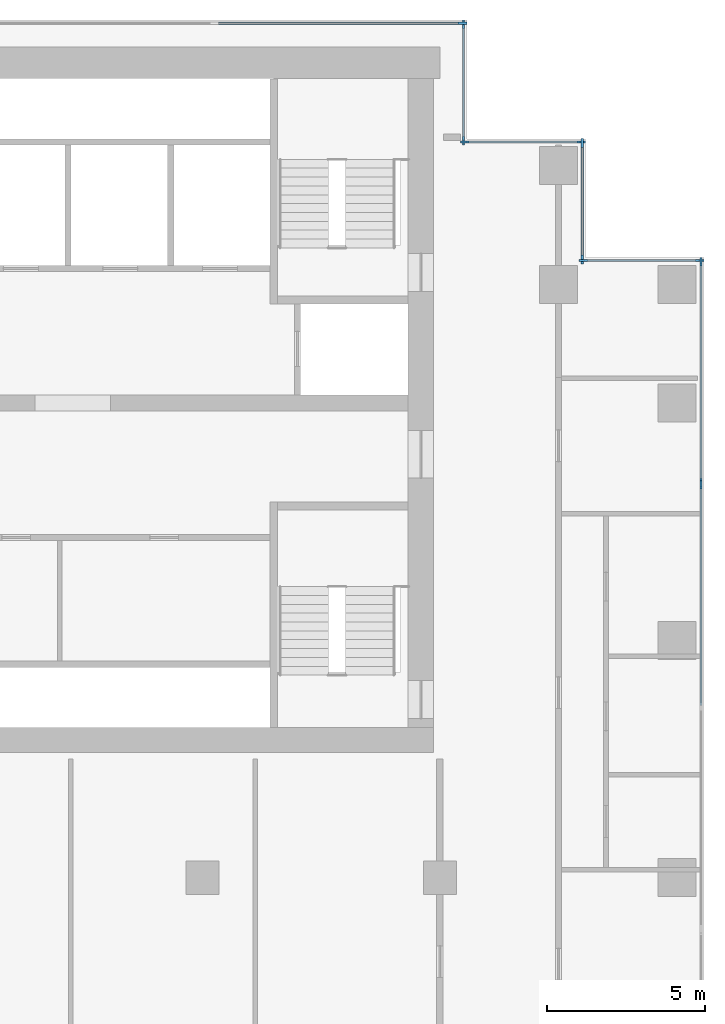
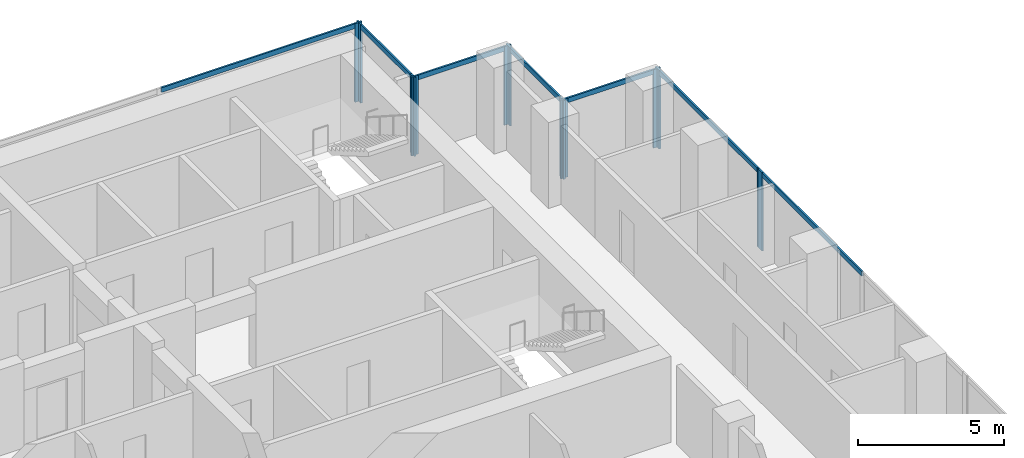
# One storey, part 5 of 11: 19 members, 7 elements without a shape of their own.
"""IFC4 building model written with IfcOpenShell, lengths in metres."""

import ifcopenshell
import ifcopenshell.guid

model = None  # the IFC model being written
_history = None  # IfcOwnerHistory: only IFC2X3 demands one
_inside = {}  # id of a spatial element -> (the spatial element, [elements in it])
_under = {}  # id of a project, library or spatial element -> (it, [spatial elements below it])
_declared = {}  # id of a project -> (the project, [libraries it declares])
_typed = {}  # id of a type object -> (the type object, [elements of that type])
_made_of = {}  # id of a material, layer set ... -> (it, [elements and type objects made of it])


def new_model(schema):
    """Start an empty IFC model of exactly this schema.

    Asked for "IFC4X3", IfcOpenShell would pick the latest addendum, in which some entities
    have other attributes; the version numbers below select the first issue.
    IFC2X3 requires an IfcOwnerHistory on every rooted entity: one is made here for all.
    """
    global model, _history
    if schema == "IFC4X3":
        model = ifcopenshell.file(schema_version=(4, 3, 0, 0))
    else:
        model = ifcopenshell.file(schema=schema)
    _inside.clear()
    _under.clear()
    _declared.clear()
    _typed.clear()
    _made_of.clear()
    _history = None
    if model.schema == "IFC2X3":
        org = make("IfcOrganization", Name="unknown")
        user = make(
            "IfcPersonAndOrganization",
            ThePerson=make("IfcPerson", FamilyName="unknown"),
            TheOrganization=org,
        )
        app = make(
            "IfcApplication",
            ApplicationDeveloper=org,
            Version="unknown",
            ApplicationFullName="unknown",
            ApplicationIdentifier="unknown",
        )
        _history = make(
            "IfcOwnerHistory",
            OwningUser=user,
            OwningApplication=app,
            ChangeAction="ADDED",
            CreationDate=0,
        )
    return model


def make(cls, **values):
    """One entity of the class cls with the attributes given. An attribute that is None is left unset."""
    return model.create_entity(
        cls, **{name: value for name, value in values.items() if value is not None}
    )


def rooted(cls, **values):
    """An entity with a GlobalId (a new one), such as an element, a storey or a relation."""
    return make(cls, GlobalId=ifcopenshell.guid.new(), OwnerHistory=_history, **values)


def si_unit(unit_type, name, prefix=None):
    """IfcSIUnit, for example si_unit("LENGTHUNIT", "METRE", prefix="MILLI")."""
    return make("IfcSIUnit", UnitType=unit_type, Prefix=prefix, Name=name)


def assignment(units):
    """IfcUnitAssignment: the units of a project."""
    return None if units is None else make("IfcUnitAssignment", Units=units)


def point(xyz):
    """IfcCartesianPoint."""
    return None if xyz is None else make("IfcCartesianPoint", Coordinates=xyz)


def direction(xyz):
    """IfcDirection."""
    return None if xyz is None else make("IfcDirection", DirectionRatios=xyz)


def frame(location, z_axis=None, x_axis=None):
    """IfcAxis2Placement3D, a coordinate frame: its origin and axes. An axis left out is left unset."""
    return make(
        "IfcAxis2Placement3D",
        Location=point(location),
        Axis=direction(z_axis),
        RefDirection=direction(x_axis),
    )


def frame_2d(location, x_axis=None):
    """IfcAxis2Placement2D, a coordinate frame in the plane: its origin and x axis."""
    return make(
        "IfcAxis2Placement2D", Location=point(location), RefDirection=direction(x_axis)
    )


def origin():
    """The frame at (0, 0, 0) with its axes left unset."""
    return frame((0.0, 0.0, 0.0))


def origin_2d():
    """The frame at (0, 0) in the plane with its x axis left unset."""
    return frame_2d((0.0, 0.0))


def place(relative_to, where):
    """IfcLocalPlacement: puts the frame where relative to a parent placement (None: the world)."""
    return make(
        "IfcLocalPlacement", PlacementRelTo=relative_to, RelativePlacement=where
    )


def context(
    kind, dimensions, precision=None, world=None, true_north=None, identifier=None
):
    """IfcGeometricRepresentationContext, for example the 3D "Model" context."""
    return make(
        "IfcGeometricRepresentationContext",
        ContextIdentifier=identifier,
        ContextType=kind,
        CoordinateSpaceDimension=dimensions,
        Precision=precision,
        WorldCoordinateSystem=world,
        TrueNorth=true_north,
    )


def subcontext(parent, identifier, kind, view, scale=None):
    """IfcGeometricRepresentationSubContext, for example "Body" below "Model"."""
    return make(
        "IfcGeometricRepresentationSubContext",
        ContextIdentifier=identifier,
        ContextType=kind,
        ParentContext=parent,
        TargetScale=scale,
        TargetView=view,
    )


def project(units=None, contexts=None):
    """IfcProject with its units and contexts."""
    return rooted(
        "IfcProject",
        Name="project",
        RepresentationContexts=contexts,
        UnitsInContext=assignment(units),
    )


def spatial(cls, under=None, at=None, **own):
    """A site, building, storey or space (cls), placed at a placement, below another one or the project."""
    s = rooted(cls, ObjectPlacement=at, **own)
    if under is not None:
        _under.setdefault(under.id(), (under, []))[1].append(s)
    return s


def profile(cls, at=None, kind="AREA", **sizes):
    """A parametric profile (cls). Its sizes go by their IFC names, for example OverallWidth=200.0."""
    return make(cls, ProfileType=kind, Position=at, **sizes)


def rectangle(**sizes):
    """IfcRectangleProfileDef."""
    return profile("IfcRectangleProfileDef", **sizes)


def extrude(swept, where, along, depth):
    """IfcExtrudedAreaSolid: the profile swept, set in the frame where, extruded along a direction by depth."""
    return make(
        "IfcExtrudedAreaSolid",
        SweptArea=swept,
        Position=where,
        ExtrudedDirection=direction(along),
        Depth=depth,
    )


def shape(context_of_items, identifier, shape_type, items):
    """IfcShapeRepresentation: the items that make up one representation, for example the "Body"."""
    return make(
        "IfcShapeRepresentation",
        ContextOfItems=context_of_items,
        RepresentationIdentifier=identifier,
        RepresentationType=shape_type,
        Items=items,
    )


def material(Name=None, Category=None):
    """IfcMaterial."""
    return make("IfcMaterial", Name=Name, Category=Category)


def material_profile(
    of_material, cross_section, Name=None, Category=None, Priority=None
):
    """IfcMaterialProfile: a cross section and its material."""
    return make(
        "IfcMaterialProfile",
        Name=Name,
        Material=of_material,
        Profile=cross_section,
        Priority=Priority,
        Category=Category,
    )


def profile_set(profiles, Name=None, composite=None):
    """IfcMaterialProfileSet."""
    return make(
        "IfcMaterialProfileSet",
        Name=Name,
        MaterialProfiles=profiles,
        CompositeProfile=composite,
    )


def made_of(thing, what):
    """Note that an element or type object is made of a material, layer set ...; save() writes the relation."""
    if what is not None:
        _made_of.setdefault(what.id(), (what, []))[1].append(thing)
    return thing


def type_object(cls, material=None, **own):
    """A type object (cls), such as IfcWallType, which elements share."""
    return made_of(rooted(cls, **own), material)


def element(
    cls,
    number,
    at=None,
    inside=None,
    cuts=None,
    type_object=None,
    material=None,
    context=None,
    identifier="Body",
    shape_type=None,
    held_by="IfcProductDefinitionShape",
    body=None,
    shapes=None,
    **own,
):
    """One element of the class cls, such as IfcWall. Its Tag is "e" and its number.

    at: its placement. inside: the storey or other place that contains it. cuts: it is an
    opening in that element (IfcRelVoidsElement). A single representation is given by context,
    identifier, shape_type and body (its items); several are given by shapes. held_by: the class
    of the entity that holds the representations. save() writes the other relations.
    """
    e = rooted(cls, Tag="e%d" % number, ObjectPlacement=at, **own)
    if body is not None:
        shapes = [shape(context, identifier, shape_type, body)]
    if shapes is not None:
        e.Representation = make(held_by, Representations=shapes)
    if inside is not None:
        _inside.setdefault(inside.id(), (inside, []))[1].append(e)
    if cuts is not None:
        rooted(
            "IfcRelVoidsElement", RelatingBuildingElement=cuts, RelatedOpeningElement=e
        )
    if type_object is not None:
        _typed.setdefault(type_object.id(), (type_object, []))[1].append(e)
    return made_of(e, material)


def aggregate(whole, parts):
    """IfcRelAggregates: a whole, such as a stair, and the parts it consists of."""
    return rooted("IfcRelAggregates", RelatingObject=whole, RelatedObjects=parts)


def save(model, path):
    """Write the relations noted so far, then the file.

    IfcRelAggregates (storeys below a building ...), IfcRelContainedInSpatialStructure (elements
    in a storey), IfcRelDefinesByType, IfcRelAssociatesMaterial and IfcRelDeclares: one each for
    every whole, place, type object, material and project.
    """
    for whole, parts in _under.values():
        aggregate(whole, parts)
    for where, things in _inside.values():
        rooted(
            "IfcRelContainedInSpatialStructure",
            RelatedElements=things,
            RelatingStructure=where,
        )
    for kind, things in _typed.values():
        rooted("IfcRelDefinesByType", RelatedObjects=things, RelatingType=kind)
    for what, things in _made_of.values():
        rooted("IfcRelAssociatesMaterial", RelatedObjects=things, RelatingMaterial=what)
    for by, libraries in _declared.values():
        rooted("IfcRelDeclares", RelatingContext=by, RelatedDefinitions=libraries)
    model.write(path)


model = new_model("IFC4")

# Units and contexts
model_context = context("Model", 3, precision=1e-05, world=origin(), true_north=direction((0.0, 1.0)))
body_context = subcontext(model_context, "Body", "Model", "MODEL_VIEW")
ifc_project = project(units=[si_unit("LENGTHUNIT", "METRE"), si_unit("AREAUNIT", "SQUARE_METRE"), si_unit("VOLUMEUNIT", "CUBIC_METRE"), si_unit("PLANEANGLEUNIT", "RADIAN"), si_unit("MASSUNIT", "GRAM", prefix="KILO")], contexts=[model_context])

# Site, building, storey
site_placement = place(None, origin())
site = spatial("IfcSite", under=ifc_project, at=site_placement, CompositionType="ELEMENT")
building_placement = place(site_placement, origin())
building = spatial("IfcBuilding", under=site, at=building_placement, Name="Pilkhan Gate Tower", CompositionType="ELEMENT")
storey_placement = place(building_placement, frame((0.0, 0.0, 172.89990234375)))
storey = spatial("IfcBuildingStorey", under=building, at=storey_placement, Name="L44", CompositionType="ELEMENT", Elevation=172.89990234375)

# Curtain wall, member
ifc_material_1 = material(Name="Pale anodised aluminium, clear low-iron double glazing", Category="aluminium")
curtain_wall_type = type_object("IfcCurtainWallType", Name="Office unitised curtain wall CW-O1", PredefinedType="USERDEFINED", material=ifc_material_1)
curtain_wall_1_placement = place(storey_placement, origin())
curtain_wall_1 = element("IfcCurtainWall", 1, at=curtain_wall_1_placement, inside=storey, type_object=curtain_wall_type, Name="Office unitised curtain wall CW-O1 L44 E", ObjectType="UNITISED CURTAIN WALL", PredefinedType="USERDEFINED")
ifc_material_2 = material(Name="Pale anodised aluminium", Category="aluminium")
ifc_material_profile_1 = material_profile(ifc_material_2, rectangle(XDim=0.070068359375, YDim=0.27490234375, at=origin_2d()), Name="Mullion 275x70")
ifc_profile_set_1 = profile_set([ifc_material_profile_1], Name="Pale anodised aluminium")
member_type_1 = type_object("IfcMemberType", Name="Mullion CW-O1 275x70", PredefinedType="MULLION", material=ifc_profile_set_1)
member_1_placement = place(storey_placement, frame((98.25, 79.9150390625, 0.0), z_axis=(0.0, 0.0, 1.0), x_axis=(-1.0, 0.0, 0.0)))
member_1 = element("IfcMember", 2, at=member_1_placement, type_object=member_type_1, Name="CW-O1 mullion 3", PredefinedType="MULLION", context=body_context, shape_type="SweptSolid", body=[
    extrude(rectangle(XDim=0.070068359375, YDim=0.27490234375, at=origin_2d()), origin(), (0.0, 0.0, 1.0), 3.300048828125),
])

# Curtain wall, members
curtain_wall_2_placement = place(storey_placement, origin())
curtain_wall_2 = element("IfcCurtainWall", 3, at=curtain_wall_2_placement, inside=storey, type_object=curtain_wall_type, Name="Office unitised curtain wall CW-O1 L44 E", ObjectType="UNITISED CURTAIN WALL", PredefinedType="USERDEFINED")
member_2_placement = place(storey_placement, frame((98.25, 79.985107421875, 0.0), z_axis=(0.0, 0.0, 1.0), x_axis=(-1.0, 0.0, 0.0)))
member_2 = element("IfcMember", 4, at=member_2_placement, type_object=member_type_1, Name="CW-O1 mullion 1", PredefinedType="MULLION", context=body_context, shape_type="SweptSolid", body=[
    extrude(rectangle(XDim=0.070068359375, YDim=0.27490234375, at=origin_2d()), origin(), (0.0, 0.0, 1.0), 3.300048828125),
])
member_3_placement = place(storey_placement, frame((98.25, 86.965087890625, 0.0), z_axis=(0.0, 0.0, 1.0), x_axis=(-1.0, 0.0, 0.0)))
member_3 = element("IfcMember", 5, at=member_3_placement, type_object=member_type_1, Name="CW-O1 mullion 2", PredefinedType="MULLION", context=body_context, shape_type="SweptSolid", body=[
    extrude(rectangle(XDim=0.070068359375, YDim=0.27490234375, at=origin_2d()), origin(), (0.0, 0.0, 1.0), 3.300048828125),
])

curtain_wall_3_placement = place(storey_placement, origin())
curtain_wall_3 = element("IfcCurtainWall", 6, at=curtain_wall_3_placement, inside=storey, type_object=curtain_wall_type, Name="Office unitised curtain wall CW-O1 L44 N", ObjectType="UNITISED CURTAIN WALL", PredefinedType="USERDEFINED")
member_4_placement = place(storey_placement, frame((94.534912109375, 87.0, 0.0), z_axis=(0.0, 0.0, 1.0), x_axis=(0.0, 1.0, 0.0)))
member_4 = element("IfcMember", 7, at=member_4_placement, type_object=member_type_1, Name="CW-O1 mullion 1", PredefinedType="MULLION", context=body_context, shape_type="SweptSolid", body=[
    extrude(rectangle(XDim=0.070068359375, YDim=0.27490234375, at=origin_2d()), origin(), (0.0, 0.0, 1.0), 3.300048828125),
])
member_5_placement = place(storey_placement, frame((98.215087890625, 87.0, 0.0), z_axis=(0.0, 0.0, 1.0), x_axis=(0.0, 1.0, 0.0)))
member_5 = element("IfcMember", 8, at=member_5_placement, type_object=member_type_1, Name="CW-O1 mullion 2", PredefinedType="MULLION", context=body_context, shape_type="SweptSolid", body=[
    extrude(rectangle(XDim=0.070068359375, YDim=0.27490234375, at=origin_2d()), origin(), (0.0, 0.0, 1.0), 3.300048828125),
])

curtain_wall_4_placement = place(storey_placement, origin())
curtain_wall_4 = element("IfcCurtainWall", 9, at=curtain_wall_4_placement, inside=storey, type_object=curtain_wall_type, Name="Office unitised curtain wall CW-O1 L44 E", ObjectType="UNITISED CURTAIN WALL", PredefinedType="USERDEFINED")
member_6_placement = place(storey_placement, frame((94.5, 87.034912109375, 0.0), z_axis=(0.0, 0.0, 1.0), x_axis=(-1.0, 0.0, 0.0)))
member_6 = element("IfcMember", 10, at=member_6_placement, type_object=member_type_1, Name="CW-O1 mullion 1", PredefinedType="MULLION", context=body_context, shape_type="SweptSolid", body=[
    extrude(rectangle(XDim=0.070068359375, YDim=0.27490234375, at=origin_2d()), origin(), (0.0, 0.0, 1.0), 3.300048828125),
])
member_7_placement = place(storey_placement, frame((94.5, 90.715087890625, 0.0), z_axis=(0.0, 0.0, 1.0), x_axis=(-1.0, 0.0, 0.0)))
member_7 = element("IfcMember", 11, at=member_7_placement, type_object=member_type_1, Name="CW-O1 mullion 2", PredefinedType="MULLION", context=body_context, shape_type="SweptSolid", body=[
    extrude(rectangle(XDim=0.070068359375, YDim=0.27490234375, at=origin_2d()), origin(), (0.0, 0.0, 1.0), 3.300048828125),
])

curtain_wall_5_placement = place(storey_placement, origin())
curtain_wall_5 = element("IfcCurtainWall", 12, at=curtain_wall_5_placement, inside=storey, type_object=curtain_wall_type, Name="Office unitised curtain wall CW-O1 L44 N", ObjectType="UNITISED CURTAIN WALL", PredefinedType="USERDEFINED")
member_8_placement = place(storey_placement, frame((90.784912109375, 90.75, 0.0), z_axis=(0.0, 0.0, 1.0), x_axis=(0.0, 1.0, 0.0)))
member_8 = element("IfcMember", 13, at=member_8_placement, type_object=member_type_1, Name="CW-O1 mullion 1", PredefinedType="MULLION", context=body_context, shape_type="SweptSolid", body=[
    extrude(rectangle(XDim=0.070068359375, YDim=0.27490234375, at=origin_2d()), origin(), (0.0, 0.0, 1.0), 3.300048828125),
])
member_9_placement = place(storey_placement, frame((94.465087890625, 90.75, 0.0), z_axis=(0.0, 0.0, 1.0), x_axis=(0.0, 1.0, 0.0)))
member_9 = element("IfcMember", 14, at=member_9_placement, type_object=member_type_1, Name="CW-O1 mullion 2", PredefinedType="MULLION", context=body_context, shape_type="SweptSolid", body=[
    extrude(rectangle(XDim=0.070068359375, YDim=0.27490234375, at=origin_2d()), origin(), (0.0, 0.0, 1.0), 3.300048828125),
])

curtain_wall_6_placement = place(storey_placement, origin())
curtain_wall_6 = element("IfcCurtainWall", 15, at=curtain_wall_6_placement, inside=storey, type_object=curtain_wall_type, Name="Office unitised curtain wall CW-O1 L44 E", ObjectType="UNITISED CURTAIN WALL", PredefinedType="USERDEFINED")
member_10_placement = place(storey_placement, frame((90.75, 90.784912109375, 0.0), z_axis=(0.0, 0.0, 1.0), x_axis=(-1.0, 0.0, 0.0)))
member_10 = element("IfcMember", 16, at=member_10_placement, type_object=member_type_1, Name="CW-O1 mullion 1", PredefinedType="MULLION", context=body_context, shape_type="SweptSolid", body=[
    extrude(rectangle(XDim=0.070068359375, YDim=0.27490234375, at=origin_2d()), origin(), (0.0, 0.0, 1.0), 3.300048828125),
])
member_11_placement = place(storey_placement, frame((90.75, 94.465087890625, 0.0), z_axis=(0.0, 0.0, 1.0), x_axis=(-1.0, 0.0, 0.0)))
member_11 = element("IfcMember", 17, at=member_11_placement, type_object=member_type_1, Name="CW-O1 mullion 2", PredefinedType="MULLION", context=body_context, shape_type="SweptSolid", body=[
    extrude(rectangle(XDim=0.070068359375, YDim=0.27490234375, at=origin_2d()), origin(), (0.0, 0.0, 1.0), 3.300048828125),
])

# Curtain wall, member
curtain_wall_7_placement = place(storey_placement, origin())
curtain_wall_7 = element("IfcCurtainWall", 18, at=curtain_wall_7_placement, inside=storey, type_object=curtain_wall_type, Name="Office unitised curtain wall CW-O1 L44 N", ObjectType="UNITISED CURTAIN WALL", PredefinedType="USERDEFINED")
member_12_placement = place(storey_placement, frame((90.715087890625, 94.5, 0.0), z_axis=(0.0, 0.0, 1.0), x_axis=(0.0, 1.0, 0.0)))
member_12 = element("IfcMember", 19, at=member_12_placement, type_object=member_type_1, Name="CW-O1 mullion 3", PredefinedType="MULLION", context=body_context, shape_type="SweptSolid", body=[
    extrude(rectangle(XDim=0.070068359375, YDim=0.27490234375, at=origin_2d()), origin(), (0.0, 0.0, 1.0), 3.300048828125),
])

# Member
ifc_material_profile_2 = material_profile(ifc_material_2, rectangle(XDim=0.070068359375, YDim=0.199951171875, at=origin_2d()), Name="Transom 200x70")
ifc_profile_set_2 = profile_set([ifc_material_profile_2], Name="Pale anodised aluminium")
member_type_2 = type_object("IfcMemberType", Name="Transom CW-O1 200x70", PredefinedType="USERDEFINED", material=ifc_profile_set_2)
member_13_placement = place(storey_placement, frame((98.25, 72.93505859375, 3.2001953125), z_axis=(0.0, 1.0, 0.0), x_axis=(-1.0, 0.0, 0.0)))
member_13 = element("IfcMember", 20, at=member_13_placement, type_object=member_type_2, Name="CW-O1 transom 2", ObjectType="TRANSOM", PredefinedType="USERDEFINED", context=body_context, shape_type="SweptSolid", body=[
    extrude(rectangle(XDim=0.070068359375, YDim=0.199951171875, at=origin_2d()), origin(), (0.0, 0.0, 1.0), 6.94482421875),
])

aggregate(curtain_wall_1, [member_1, member_13])

member_14_placement = place(storey_placement, frame((98.25, 80.02001953125, 3.2001953125), z_axis=(0.0, 1.0, 0.0), x_axis=(-1.0, 0.0, 0.0)))
member_14 = element("IfcMember", 21, at=member_14_placement, type_object=member_type_2, Name="CW-O1 transom 1", ObjectType="TRANSOM", PredefinedType="USERDEFINED", context=body_context, shape_type="SweptSolid", body=[
    extrude(rectangle(XDim=0.070068359375, YDim=0.199951171875, at=origin_2d()), origin(), (0.0, 0.0, 1.0), 6.909912109375),
])

aggregate(curtain_wall_2, [member_2, member_3, member_14])

member_15_placement = place(storey_placement, frame((94.570068359375, 87.0, 3.2001953125), z_axis=(1.0, 0.0, 0.0), x_axis=(0.0, 1.0, 0.0)))
member_15 = element("IfcMember", 22, at=member_15_placement, type_object=member_type_2, Name="CW-O1 transom 1", ObjectType="TRANSOM", PredefinedType="USERDEFINED", context=body_context, shape_type="SweptSolid", body=[
    extrude(rectangle(XDim=0.070068359375, YDim=0.199951171875, at=origin_2d()), origin(), (0.0, 0.0, 1.0), 3.60986328125),
])

aggregate(curtain_wall_3, [member_4, member_5, member_15])

member_16_placement = place(storey_placement, frame((94.5, 87.070068359375, 3.2001953125), z_axis=(0.0, 1.0, 0.0), x_axis=(-1.0, 0.0, 0.0)))
member_16 = element("IfcMember", 23, at=member_16_placement, type_object=member_type_2, Name="CW-O1 transom 1", ObjectType="TRANSOM", PredefinedType="USERDEFINED", context=body_context, shape_type="SweptSolid", body=[
    extrude(rectangle(XDim=0.070068359375, YDim=0.199951171875, at=origin_2d()), origin(), (0.0, 0.0, 1.0), 3.60986328125),
])

aggregate(curtain_wall_4, [member_6, member_7, member_16])

member_17_placement = place(storey_placement, frame((90.820068359375, 90.75, 3.2001953125), z_axis=(1.0, 0.0, 0.0), x_axis=(0.0, 1.0, 0.0)))
member_17 = element("IfcMember", 24, at=member_17_placement, type_object=member_type_2, Name="CW-O1 transom 1", ObjectType="TRANSOM", PredefinedType="USERDEFINED", context=body_context, shape_type="SweptSolid", body=[
    extrude(rectangle(XDim=0.070068359375, YDim=0.199951171875, at=origin_2d()), origin(), (0.0, 0.0, 1.0), 3.60986328125),
])

aggregate(curtain_wall_5, [member_8, member_9, member_17])

member_18_placement = place(storey_placement, frame((90.75, 90.820068359375, 3.2001953125), z_axis=(0.0, 1.0, 0.0), x_axis=(-1.0, 0.0, 0.0)))
member_18 = element("IfcMember", 25, at=member_18_placement, type_object=member_type_2, Name="CW-O1 transom 1", ObjectType="TRANSOM", PredefinedType="USERDEFINED", context=body_context, shape_type="SweptSolid", body=[
    extrude(rectangle(XDim=0.070068359375, YDim=0.199951171875, at=origin_2d()), origin(), (0.0, 0.0, 1.0), 3.60986328125),
])

aggregate(curtain_wall_6, [member_10, member_11, member_18])

member_19_placement = place(storey_placement, frame((82.909912109375, 94.5, 3.2001953125), z_axis=(1.0, 0.0, 0.0), x_axis=(0.0, 1.0, 0.0)))
member_19 = element("IfcMember", 26, at=member_19_placement, type_object=member_type_2, Name="CW-O1 transom 2", ObjectType="TRANSOM", PredefinedType="USERDEFINED", context=body_context, shape_type="SweptSolid", body=[
    extrude(rectangle(XDim=0.070068359375, YDim=0.199951171875, at=origin_2d()), origin(), (0.0, 0.0, 1.0), 7.77001953125),
])

aggregate(curtain_wall_7, [member_12, member_19])

save(model, "model.ifc")
